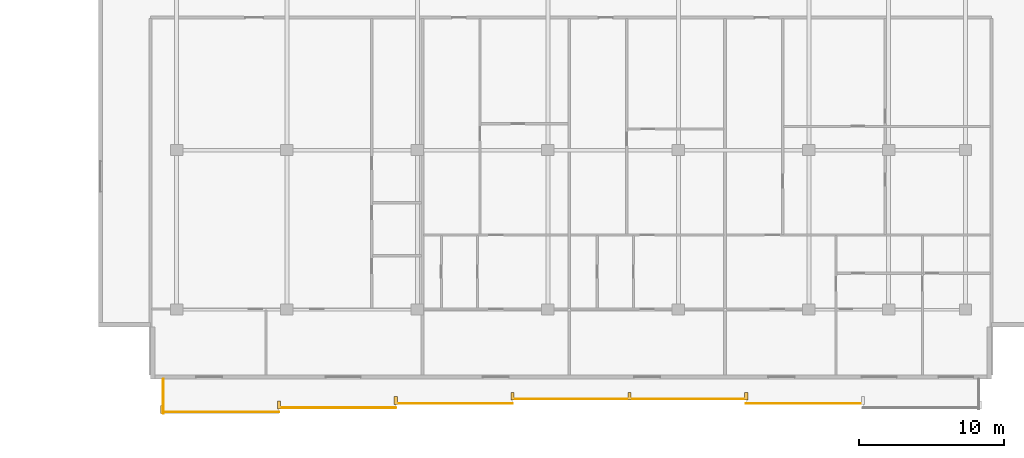
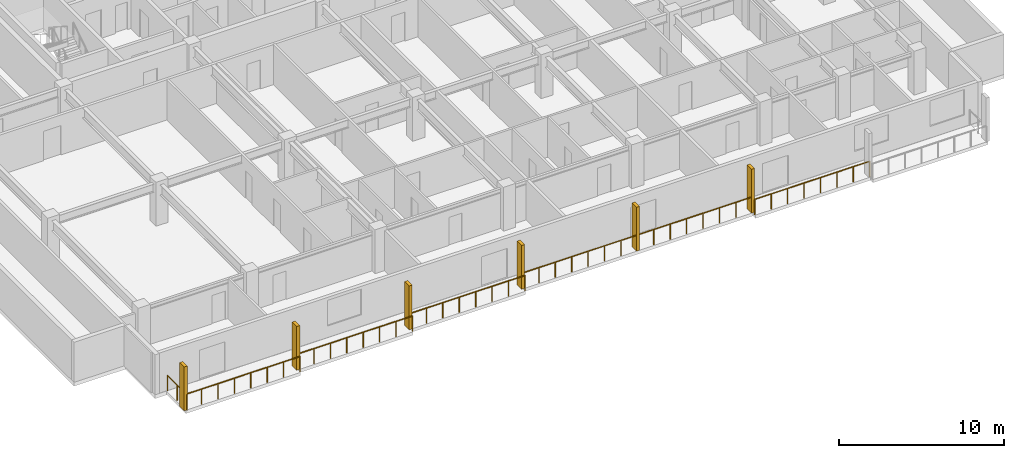
# One storey, part 17 of 21: 6 railings, 6 shading devices.
"""IFC4 building model written with IfcOpenShell, lengths in metres."""

from ifc_helpers import new_model, si_unit, direction, frame, origin, origin_2d, place, context, subcontext, project, spatial, rectangle, circle, extrude, material, type_object, element, save


model = new_model("IFC4")

# Units and contexts
model_context = context("Model", 3, precision=1e-05, world=origin(), true_north=direction((0.0, 1.0)))
body_context = subcontext(model_context, "Body", "Model", "MODEL_VIEW")
ifc_project = project(units=[si_unit("LENGTHUNIT", "METRE"), si_unit("AREAUNIT", "SQUARE_METRE"), si_unit("VOLUMEUNIT", "CUBIC_METRE"), si_unit("PLANEANGLEUNIT", "RADIAN"), si_unit("MASSUNIT", "GRAM", prefix="KILO")], contexts=[model_context])

# Site, building, storey
site_placement = place(None, origin())
site = spatial("IfcSite", under=ifc_project, at=site_placement, CompositionType="ELEMENT")
building_placement = place(site_placement, origin())
building = spatial("IfcBuilding", under=site, at=building_placement, Name="Korimba Cascade Residences", CompositionType="ELEMENT")
storey_placement = place(building_placement, frame((0.0, 0.0, 103.550048828125)))
storey = spatial("IfcBuildingStorey", under=building, at=storey_placement, Name="L29", CompositionType="ELEMENT", Elevation=103.550048828125)

# Railings
ifc_material_1 = material(Name="Laminated Glass and Bronze Balustrade", Category="glass")
railing_type = type_object("IfcRailingType", Name="RLG-LOG-1150", PredefinedType="BALUSTRADE", material=ifc_material_1)
for number, where, name in (
    (1, (73.5, -11.27001953125, 0.0), "L29 Perimeter Guardrail RLG-L29-T2-LOG-01"),
    (2, (81.55712890625, -10.969970703125, 0.0), "L29 Perimeter Guardrail RLG-L29-T2-LOG-02"),
    (3, (89.6142578125, -10.669921875, 0.0), "L29 Perimeter Guardrail RLG-L29-T2-LOG-03"),
):
    element("IfcRailing", number, at=place(storey_placement, frame(where)), inside=storey, type_object=railing_type, Name=name, PredefinedType="BALUSTRADE", context=body_context, shape_type="SweptSolid", body=[
        extrude(circle(Radius=0.02392578125, at=origin_2d()), frame((0.0, 0.0, 1.1259765625), z_axis=(1.0, 0.0, 0.0), x_axis=(0.0, 1.0, 0.0)), (0.0, 0.0, 1.0), 8.05712890625),
        extrude(circle(Radius=0.02099609375, at=origin_2d()), origin(), (0.0, 0.0, 1.0), 1.101806640625),
        extrude(circle(Radius=0.02099609375, at=origin_2d()), frame((1.151123046875, 0.0, 0.0)), (0.0, 0.0, 1.0), 1.101806640625),
        extrude(circle(Radius=0.02099609375, at=origin_2d()), frame((2.302001953125, 0.0, 0.0)), (0.0, 0.0, 1.0), 1.101806640625),
        extrude(circle(Radius=0.02099609375, at=origin_2d()), frame((3.453125, 0.0, 0.0)), (0.0, 0.0, 1.0), 1.101806640625),
        extrude(circle(Radius=0.02099609375, at=origin_2d()), frame((4.60400390625, 0.0, 0.0)), (0.0, 0.0, 1.0), 1.101806640625),
        extrude(circle(Radius=0.02099609375, at=origin_2d()), frame((5.755126953125, 0.0, 0.0)), (0.0, 0.0, 1.0), 1.101806640625),
        extrude(circle(Radius=0.02099609375, at=origin_2d()), frame((6.906005859375, 0.0, 0.0)), (0.0, 0.0, 1.0), 1.101806640625),
        extrude(circle(Radius=0.02099609375, at=origin_2d()), frame((8.05712890625, 0.0, 0.0)), (0.0, 0.0, 1.0), 1.101806640625),
    ])
railing_1_placement = place(storey_placement, frame((97.67138671875, -10.3701171875, 0.0)))
element("IfcRailing", 4, at=railing_1_placement, inside=storey, type_object=railing_type, Name="L29 Perimeter Guardrail RLG-L29-T2-LOG-04", PredefinedType="BALUSTRADE", context=body_context, shape_type="SweptSolid", body=[
    extrude(circle(Radius=0.02392578125, at=origin_2d()), frame((0.0, 0.0, 1.1259765625), z_axis=(1.0, 0.0, 0.0), x_axis=(0.0, 1.0, 0.0)), (0.0, 0.0, 1.0), 16.1142578125),
    extrude(circle(Radius=0.02099609375, at=origin_2d()), origin(), (0.0, 0.0, 1.0), 1.101806640625),
    extrude(circle(Radius=0.02099609375, at=origin_2d()), frame((1.151123046875, 0.0, 0.0)), (0.0, 0.0, 1.0), 1.101806640625),
    extrude(circle(Radius=0.02099609375, at=origin_2d()), frame((2.302001953125, 0.0, 0.0)), (0.0, 0.0, 1.0), 1.101806640625),
    extrude(circle(Radius=0.02099609375, at=origin_2d()), frame((3.453125, 0.0, 0.0)), (0.0, 0.0, 1.0), 1.101806640625),
    extrude(circle(Radius=0.02099609375, at=origin_2d()), frame((4.60400390625, 0.0, 0.0)), (0.0, 0.0, 1.0), 1.101806640625),
    extrude(circle(Radius=0.02099609375, at=origin_2d()), frame((5.755126953125, 0.0, 0.0)), (0.0, 0.0, 1.0), 1.101806640625),
    extrude(circle(Radius=0.02099609375, at=origin_2d()), frame((6.906005859375, 0.0, 0.0)), (0.0, 0.0, 1.0), 1.101806640625),
    extrude(circle(Radius=0.02099609375, at=origin_2d()), frame((8.05712890625, 0.0, 0.0)), (0.0, 0.0, 1.0), 1.101806640625),
    extrude(circle(Radius=0.02099609375, at=origin_2d()), frame((9.208251953125, 0.0, 0.0)), (0.0, 0.0, 1.0), 1.101806640625),
    extrude(circle(Radius=0.02099609375, at=origin_2d()), frame((10.359130859375, 0.0, 0.0)), (0.0, 0.0, 1.0), 1.101806640625),
    extrude(circle(Radius=0.02099609375, at=origin_2d()), frame((11.51025390625, 0.0, 0.0)), (0.0, 0.0, 1.0), 1.101806640625),
    extrude(circle(Radius=0.02099609375, at=origin_2d()), frame((12.6611328125, 0.0, 0.0)), (0.0, 0.0, 1.0), 1.101806640625),
    extrude(circle(Radius=0.02099609375, at=origin_2d()), frame((13.812255859375, 0.0, 0.0)), (0.0, 0.0, 1.0), 1.101806640625),
    extrude(circle(Radius=0.02099609375, at=origin_2d()), frame((14.963134765625, 0.0, 0.0)), (0.0, 0.0, 1.0), 1.101806640625),
    extrude(circle(Radius=0.02099609375, at=origin_2d()), frame((16.1142578125, 0.0, 0.0)), (0.0, 0.0, 1.0), 1.101806640625),
])
railing_2_placement = place(storey_placement, frame((113.78564453125, -10.669921875, 0.0)))
element("IfcRailing", 5, at=railing_2_placement, inside=storey, type_object=railing_type, Name="L29 Perimeter Guardrail RLG-L29-T2-LOG-05", PredefinedType="BALUSTRADE", context=body_context, shape_type="SweptSolid", body=[
    extrude(circle(Radius=0.02392578125, at=origin_2d()), frame((0.0, 0.0, 1.1259765625), z_axis=(1.0, 0.0, 0.0), x_axis=(0.0, 1.0, 0.0)), (0.0, 0.0, 1.0), 8.057373046875),
    extrude(circle(Radius=0.02099609375, at=origin_2d()), origin(), (0.0, 0.0, 1.0), 1.101806640625),
    extrude(circle(Radius=0.02099609375, at=origin_2d()), frame((1.151123046875, 0.0, 0.0)), (0.0, 0.0, 1.0), 1.101806640625),
    extrude(circle(Radius=0.02099609375, at=origin_2d()), frame((2.302001953125, 0.0, 0.0)), (0.0, 0.0, 1.0), 1.101806640625),
    extrude(circle(Radius=0.02099609375, at=origin_2d()), frame((3.453125, 0.0, 0.0)), (0.0, 0.0, 1.0), 1.101806640625),
    extrude(circle(Radius=0.02099609375, at=origin_2d()), frame((4.604248046875, 0.0, 0.0)), (0.0, 0.0, 1.0), 1.101806640625),
    extrude(circle(Radius=0.02099609375, at=origin_2d()), frame((5.75537109375, 0.0, 0.0)), (0.0, 0.0, 1.0), 1.101806640625),
    extrude(circle(Radius=0.02099609375, at=origin_2d()), frame((6.90625, 0.0, 0.0)), (0.0, 0.0, 1.0), 1.101806640625),
    extrude(circle(Radius=0.02099609375, at=origin_2d()), frame((8.057373046875, 0.0, 0.0)), (0.0, 0.0, 1.0), 1.101806640625),
])
railing_3_placement = place(storey_placement, frame((73.580078125, -9.0, 0.0)))
element("IfcRailing", 6, at=railing_3_placement, inside=storey, type_object=railing_type, Name="L29 Perimeter Guardrail RLG-L29-T2-LOG-08", PredefinedType="BALUSTRADE", context=body_context, shape_type="SweptSolid", body=[
    extrude(circle(Radius=0.02392578125, at=origin_2d()), frame((0.0, 0.0, 1.1259765625), z_axis=(0.0, -1.0, 0.0), x_axis=(1.0, 0.0, 0.0)), (0.0, 0.0, 1.0), 2.35009765625),
    extrude(circle(Radius=0.02099609375, at=origin_2d()), origin(), (0.0, 0.0, 1.0), 1.101806640625),
    extrude(circle(Radius=0.02099609375, at=origin_2d()), frame((0.0, -1.175048828125, 0.0)), (0.0, 0.0, 1.0), 1.101806640625),
    extrude(circle(Radius=0.02099609375, at=origin_2d()), frame((0.0, -2.35009765625, 0.0)), (0.0, 0.0, 1.0), 1.101806640625),
])

# Shading devices
ifc_material_2 = material(Name="Honed Sandstone Precast Fin", Category="masonry")
shading_device_type = type_object("IfcShadingDeviceType", Name="SHD-FIN-550", PredefinedType="USERDEFINED", material=ifc_material_2)
for number, where, z_axis, x_axis, name in (
    (7, (73.5, -11.074951171875, 0.0), (0.0, 0.0, 1.0), (1.0, 0.0, 0.0), "L29 T2 Warm-Stone Loggia Fin 1"),
    (8, (81.55712890625, -10.77490234375, 0.0), (0.0, 0.0, 1.0), (1.0, 0.0, 0.0), "L29 T2 Warm-Stone Loggia Fin 2"),
    (9, (89.6142578125, -10.47509765625, 0.0), (0.0, 0.0, 1.0), (1.0, 0.0, 0.0), "L29 T2 Warm-Stone Loggia Fin 3"),
    (10, (97.67138671875, -10.175048828125, 0.0), (0.0, 0.0, 1.0), (1.0, 0.0, 0.0), "L29 T2 Warm-Stone Loggia Fin 4"),
    (11, (105.728515625, -10.175048828125, 0.0), (0.0, 0.0, 1.0), (1.0, 0.0, 0.0), "L29 T2 Warm-Stone Loggia Fin 5"),
    (12, (113.78564453125, -10.175048828125, 0.0), (0.0, 0.0, 1.0), (1.0, 0.0, 0.0), "L29 T2 Warm-Stone Loggia Fin 6"),
):
    element("IfcShadingDevice", number, at=place(storey_placement, frame(where, z_axis=z_axis, x_axis=x_axis)), inside=storey, type_object=shading_device_type, Name=name, ObjectType="FIN", PredefinedType="USERDEFINED", context=body_context, shape_type="SweptSolid", body=[
        extrude(rectangle(XDim=0.219970703125, YDim=0.550048828125, at=origin_2d()), origin(), (0.0, 0.0, 1.0), 3.25),
    ])

save(model, "model.ifc")
